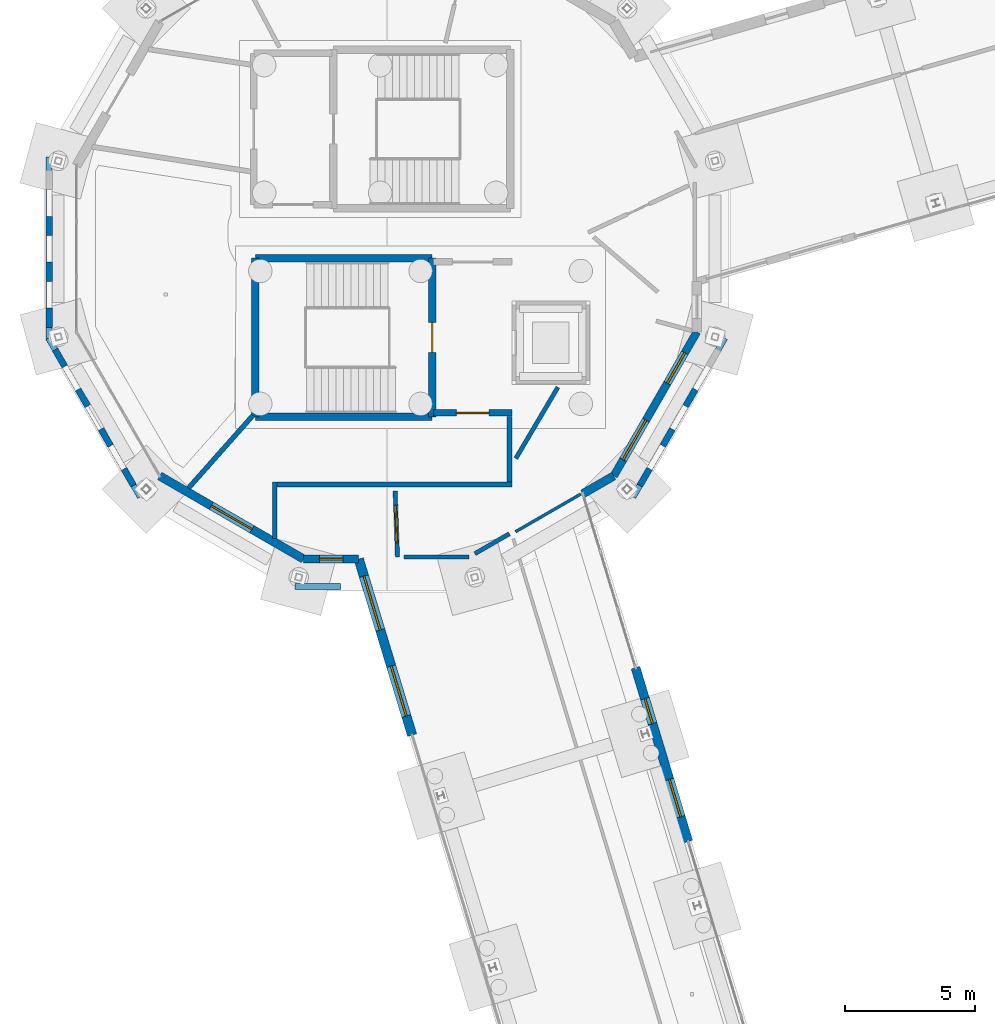
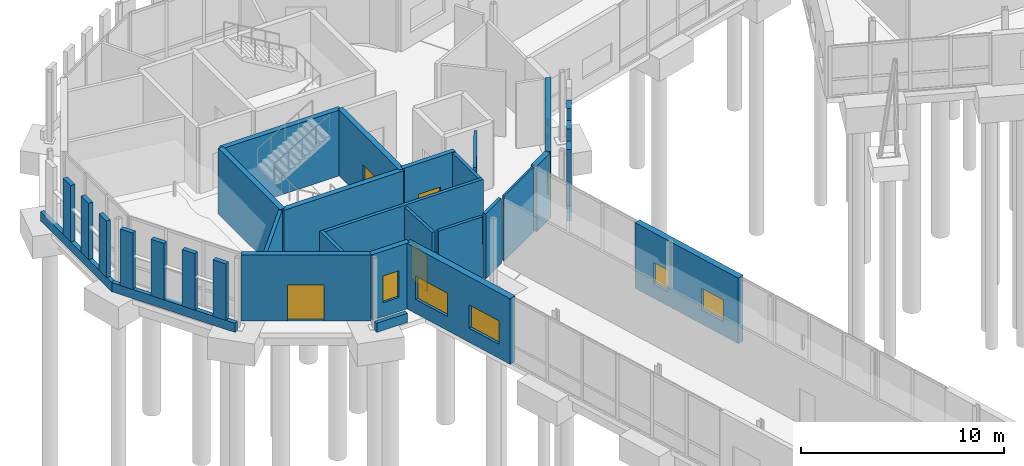
# One storey, part 82 of 113: 34 walls, 7 windows, 4 doors, 11 openings.
"""IFC4 building model written with IfcOpenShell, lengths in metres."""

from ifc_helpers import new_model, si_unit, direction, frame, frame_2d, origin, place, context, subcontext, project, spatial, rectangle, extrude, material, layer, layer_set, type_object, element, fill, save


model = new_model("IFC4")

# Units and contexts
model_context = context("Model", 3, precision=1e-05, world=origin(), true_north=direction((0.0, 1.0)))
body_context = subcontext(model_context, "Body", "Model", "MODEL_VIEW")
ifc_project = project(units=[si_unit("LENGTHUNIT", "METRE"), si_unit("AREAUNIT", "SQUARE_METRE"), si_unit("VOLUMEUNIT", "CUBIC_METRE"), si_unit("PLANEANGLEUNIT", "RADIAN"), si_unit("MASSUNIT", "GRAM", prefix="KILO")], contexts=[model_context])

# Site, building, storey
site_placement = place(None, origin())
site = spatial("IfcSite", under=ifc_project, at=site_placement, CompositionType="ELEMENT")
building_placement = place(site_placement, origin())
building = spatial("IfcBuilding", under=site, at=building_placement, Name="Wrenclough Park School", CompositionType="ELEMENT")
storey_placement = place(building_placement, origin())
storey = spatial("IfcBuildingStorey", under=building, at=storey_placement, Name="L00", CompositionType="ELEMENT", Elevation=0.0)

# Walls
ifc_material_1 = material(Name="Perforated open-bond Staffordshire and Manchester brick screen pier", Category="masonry")
ifc_layer_1 = layer(ifc_material_1, 0.2451171875)
ifc_layer_set_1 = layer_set([ifc_layer_1], Name="Perforated open-bond Staffordshire and Manchester brick screen pier")
wall_type_1 = type_object("IfcWallType", Name="ENV-BS-PR245", PredefinedType="ELEMENTEDWALL", material=ifc_layer_set_1)
for number, where, z_axis, x_axis, name in (
    (1, (3.54345703125, 90.74951171875, 0.550048828125), (0.0, 0.0, 1.0), (0.0, -1.0, 0.0), "D3 L00 perforated brick screen pier 0094"),
    (2, (3.54345703125, 88.989501953125, 0.550048828125), (0.0, 0.0, 1.0), (0.0, -1.0, 0.0), "D3 L00 perforated brick screen pier 0095"),
    (3, (3.54345703125, 87.2294921875, 0.550048828125), (0.0, 0.0, 1.0), (0.0, -1.0, 0.0), "D3 L00 perforated brick screen pier 0096"),
    (4, (3.7744140625, 85.6279296875, 0.550048828125), (0.0, 0.0, 1.0), (0.500189527592, -0.865915952323, 0.0), "D3 L00 perforated brick screen pier 0097"),
):
    element("IfcWall", number, at=place(storey_placement, frame(where, z_axis=z_axis, x_axis=x_axis)), inside=storey, type_object=wall_type_1, Name=name, PredefinedType="ELEMENTEDWALL", context=body_context, shape_type="SweptSolid", body=[
        extrude(rectangle(XDim=0.739013671875, YDim=0.2451171875, at=frame_2d((0.36962890625, 0.0))), origin(), (0.0, 0.0, 1.0), 3.389892578125),
    ])
wall_1_placement = place(storey_placement, frame((4.654541015625, 84.103759765625, 0.550048828125), z_axis=(0.0, 0.0, 1.0), x_axis=(0.499941746681, -0.866059033742, 0.0)))
element("IfcWall", 5, at=wall_1_placement, inside=storey, type_object=wall_type_1, Name="D3 L00 perforated brick screen pier 0098", PredefinedType="ELEMENTEDWALL", context=body_context, shape_type="SweptSolid", body=[
    extrude(rectangle(XDim=0.73876953125, YDim=0.2451171875, at=frame_2d((0.369384765625, 0.0))), origin(), (0.0, 0.0, 1.0), 3.389892578125),
])
for number, where, z_axis, x_axis, name in (
    (6, (5.534423828125, 82.57958984375, 0.550048828125), (0.0, 0.0, 1.0), (0.500189527592, -0.865915952323, 0.0), "D3 L00 perforated brick screen pier 0099"),
    (7, (6.41455078125, 81.055419921875, 0.550048828125), (0.0, 0.0, 1.0), (0.499798711192, -0.866141586746, 0.0), "D3 L00 perforated brick screen pier 0100"),
    (8, (26.216064453125, 80.415283203125, 0.550048828125), (0.0, 0.0, 1.0), (0.499798711192, 0.866141586746, 0.0), "D3 L00 perforated brick screen pier 0101"),
    (9, (27.095947265625, 81.939697265625, 0.550048828125), (0.0, 0.0, 1.0), (0.500189527592, 0.865915952323, 0.0), "D3 L00 perforated brick screen pier 0102"),
):
    element("IfcWall", number, at=place(storey_placement, frame(where, z_axis=z_axis, x_axis=x_axis)), inside=storey, type_object=wall_type_1, Name=name, PredefinedType="ELEMENTEDWALL", context=body_context, shape_type="SweptSolid", body=[
        extrude(rectangle(XDim=0.739013671875, YDim=0.2451171875, at=frame_2d((0.36962890625, 0.0))), origin(), (0.0, 0.0, 1.0), 3.389892578125),
    ])
wall_2_placement = place(storey_placement, frame((27.97607421875, 83.4638671875, 0.550048828125), z_axis=(0.0, 0.0, 1.0), x_axis=(0.499941746681, 0.866059033742, 0.0)))
element("IfcWall", 10, at=wall_2_placement, inside=storey, type_object=wall_type_1, Name="D3 L00 perforated brick screen pier 0103", PredefinedType="ELEMENTEDWALL", context=body_context, shape_type="SweptSolid", body=[
    extrude(rectangle(XDim=0.73876953125, YDim=0.2451171875, at=frame_2d((0.369384765625, 0.0))), origin(), (0.0, 0.0, 1.0), 3.389892578125),
])
ifc_material_2 = material(Name="Open-bond Manchester multi-stock brick spandrel screen", Category="masonry")
ifc_layer_2 = layer(ifc_material_2, 0.22509765625)
ifc_layer_set_2 = layer_set([ifc_layer_2], Name="Open-bond Manchester multi-stock brick spandrel screen")
wall_type_2 = type_object("IfcWallType", Name="ENV-BS-SP225", PredefinedType="ELEMENTEDWALL", material=ifc_layer_set_2)
wall_3_placement = place(storey_placement, frame((3.54345703125, 93.02001953125, 0.0), z_axis=(0.0, 0.0, 1.0), x_axis=(0.0, -1.0, 0.0)))
element("IfcWall", 11, at=wall_3_placement, inside=storey, type_object=wall_type_2, Name="D3 L00 open-bond brick screen spandrel 0024", PredefinedType="ELEMENTEDWALL", context=body_context, shape_type="SweptSolid", body=[
    extrude(rectangle(XDim=7.0400390625, YDim=0.22509765625, at=frame_2d((3.52001953125, 0.0))), origin(), (0.0, 0.0, 1.0), 0.550048828125),
])
wall_4_placement = place(storey_placement, frame((3.519287109375, 86.070068359375, 0.0), z_axis=(0.0, 0.0, 1.0), x_axis=(0.500010639957, -0.866019260715, 0.0)))
element("IfcWall", 12, at=wall_4_placement, inside=storey, type_object=wall_type_2, Name="D3 L00 open-bond brick screen spandrel 0025", PredefinedType="ELEMENTEDWALL", context=body_context, shape_type="SweptSolid", body=[
    extrude(rectangle(XDim=7.039794921875, YDim=0.22509765625, at=frame_2d((3.52001953125, 0.0))), origin(), (0.0, 0.0, 1.0), 0.550048828125),
])
wall_5_placement = place(storey_placement, frame((12.97998046875, 76.54345703125, 0.0), z_axis=(0.0, 0.0, 1.0), x_axis=(1.0, 0.0, 0.0)))
element("IfcWall", 13, at=wall_5_placement, inside=storey, type_object=wall_type_2, Name="D3 L00 open-bond brick screen spandrel 0026", PredefinedType="ELEMENTEDWALL", context=body_context, shape_type="SweptSolid", body=[
    extrude(rectangle(XDim=1.751708984375, YDim=0.22509765625, at=frame_2d((0.8759765625, 0.0))), origin(), (0.0, 0.0, 1.0), 0.550048828125),
])
wall_6_placement = place(storey_placement, frame((25.960693359375, 79.973388671875, 0.0), z_axis=(0.0, 0.0, 1.0), x_axis=(0.500010639957, 0.866019260715, 0.0)))
element("IfcWall", 14, at=wall_6_placement, inside=storey, type_object=wall_type_2, Name="D3 L00 open-bond brick screen spandrel 0027", PredefinedType="ELEMENTEDWALL", context=body_context, shape_type="SweptSolid", body=[
    extrude(rectangle(XDim=7.039794921875, YDim=0.22509765625, at=frame_2d((3.52001953125, 0.0))), origin(), (0.0, 0.0, 1.0), 0.550048828125),
])

# Wall, opening, window
ifc_material_3 = material(Name="Manchester multi-stock brick and Concrete C32/40 inner leaf", Category="masonry")
ifc_layer_3 = layer(ifc_material_3, 0.300048828125)
ifc_layer_set_3 = layer_set([ifc_layer_3], Name="Manchester multi-stock brick and Concrete C32/40 inner leaf")
wall_type_3 = type_object("IfcWallType", Name="ENV-EW-300", PredefinedType="SOLIDWALL", material=ifc_layer_set_3)
wall_7_placement = place(storey_placement, frame((15.4267578125, 77.59423828125, 0.0), z_axis=(0.0, 0.0, 1.0), x_axis=(-1.0, 0.0, 0.0)))
wall_7 = element("IfcWall", 15, at=wall_7_placement, inside=storey, type_object=wall_type_3, Name="L00 insulated brick external wall 0008", PredefinedType="SOLIDWALL", context=body_context, shape_type="SweptSolid", body=[
    extrude(rectangle(XDim=2.116943359375, YDim=0.300048828125, at=frame_2d((1.05859375, 0.0))), origin(), (0.0, 0.0, 1.0), 3.93994140625),
])
opening_1_placement = place(wall_7_placement, frame((0.6083984375, 0.0, 0.85009765625)))
opening_1 = element("IfcOpeningElement", 16, at=opening_1_placement, cuts=wall_7, Name="Opening WN-13", PredefinedType="OPENING", context=body_context, shape_type="SweptSolid", body=[
    extrude(rectangle(XDim=0.89990234375, YDim=1.60009765625, at=frame_2d((0.449951171875, 0.800048828125))), frame((0.0, 0.159912109375, 0.0), z_axis=(0.0, -1.0, 0.0), x_axis=(1.0, 0.0, 0.0)), (0.0, 0.0, 1.0), 0.320068359375),
])
ifc_material_4 = material(Name="Thermally broken aluminium and double-glazed low-e glass", Category="aluminium")
window_type_1 = type_object("IfcWindowType", Name="ENV-WN-13", PartitioningType="SINGLE_PANEL", PredefinedType="WINDOW", material=ifc_material_4)
window_1_placement = place(opening_1_placement, origin())
window_1 = element("IfcWindow", 17, at=window_1_placement, inside=storey, type_object=window_type_1, Name="L00 scheduled facade window 0010", OverallHeight=1.60009765625, OverallWidth=0.89990234375, PartitioningType="SINGLE_PANEL", PredefinedType="WINDOW", context=body_context, shape_type="SweptSolid", body=[
    extrude(rectangle(XDim=0.89990234375, YDim=1.60009765625, at=frame_2d((0.449951171875, 0.800048828125))), frame((0.0, 0.030029296875, 0.0), z_axis=(0.0, -1.0, 0.0), x_axis=(1.0, 0.0, 0.0)), (0.0, 0.0, 1.0), 0.06005859375),
])
fill(opening_1, window_1)

# Wall, openings, windows
wall_8_placement = place(storey_placement, frame((28.40576171875, 86.309814453125, 0.0), z_axis=(0.0, 0.0, 1.0), x_axis=(-0.499966461314, -0.866044766488, 0.0)))
wall_8 = element("IfcWall", 18, at=wall_8_placement, inside=storey, type_object=wall_type_3, Name="L00 insulated brick external wall 0072", PredefinedType="SOLIDWALL", context=body_context, shape_type="SweptSolid", body=[
    extrude(rectangle(XDim=6.38037109375, YDim=0.300048828125, at=frame_2d((3.190185546875, 0.0))), origin(), (0.0, 0.0, 1.0), 3.93994140625),
])
opening_2_placement = place(wall_8_placement, frame((0.920166015625, 0.0, 0.85009765625)))
opening_2 = element("IfcOpeningElement", 19, at=opening_2_placement, cuts=wall_8, Name="Opening WN-43", PredefinedType="OPENING", context=body_context, shape_type="SweptSolid", body=[
    extrude(rectangle(XDim=1.35009765625, YDim=1.300048828125, at=frame_2d((0.675048828125, 0.64990234375))), frame((0.0, 0.159912109375, 0.0), z_axis=(0.0, -1.0, 0.0), x_axis=(1.0, 0.0, 0.0)), (0.0, 0.0, 1.0), 0.320068359375),
])
opening_3_placement = place(wall_8_placement, frame((3.91015625, 0.0, 0.85009765625)))
opening_3 = element("IfcOpeningElement", 20, at=opening_3_placement, cuts=wall_8, Name="Opening WN-44", PredefinedType="OPENING", context=body_context, shape_type="SweptSolid", body=[
    extrude(rectangle(XDim=1.75, YDim=1.300048828125, at=frame_2d((0.875, 0.64990234375))), frame((0.0, 0.159912109375, 0.0), z_axis=(0.0, -1.0, 0.0), x_axis=(1.0, 0.0, 0.0)), (0.0, 0.0, 1.0), 0.320068359375),
])
window_type_2 = type_object("IfcWindowType", Name="ENV-WN-43", PartitioningType="SINGLE_PANEL", PredefinedType="WINDOW", material=ifc_material_4)
window_2_placement = place(opening_2_placement, origin())
window_2 = element("IfcWindow", 21, at=window_2_placement, inside=storey, type_object=window_type_2, Name="L00 scheduled facade window 0098", OverallHeight=1.300048828125, OverallWidth=1.35009765625, PartitioningType="SINGLE_PANEL", PredefinedType="WINDOW", context=body_context, shape_type="SweptSolid", body=[
    extrude(rectangle(XDim=1.35009765625, YDim=1.300048828125, at=frame_2d((0.675048828125, 0.64990234375))), frame((0.0, 0.030029296875, 0.0), z_axis=(0.0, -1.0, 0.0), x_axis=(1.0, 0.0, 0.0)), (0.0, 0.0, 1.0), 0.06005859375),
])
fill(opening_2, window_2)
window_type_3 = type_object("IfcWindowType", Name="ENV-WN-44", PartitioningType="DOUBLE_PANEL_VERTICAL", PredefinedType="WINDOW", material=ifc_material_4)
window_3_placement = place(opening_3_placement, origin())
window_3 = element("IfcWindow", 22, at=window_3_placement, inside=storey, type_object=window_type_3, Name="L00 scheduled facade window 0099", OverallHeight=1.300048828125, OverallWidth=1.75, PartitioningType="SINGLE_PANEL", PredefinedType="WINDOW", context=body_context, shape_type="SweptSolid", body=[
    extrude(rectangle(XDim=1.75, YDim=1.300048828125, at=frame_2d((0.875, 0.64990234375))), frame((0.0, 0.030029296875, 0.0), z_axis=(0.0, -1.0, 0.0), x_axis=(1.0, 0.0, 0.0)), (0.0, 0.0, 1.0), 0.06005859375),
])
fill(opening_3, window_3)

# Wall, opening, door
ifc_layer_4 = layer(ifc_material_3, 0.324951171875)
ifc_layer_set_4 = layer_set([ifc_layer_4], Name="Manchester multi-stock brick and Concrete C32/40 inner leaf")
wall_type_4 = type_object("IfcWallType", Name="ENV-EW-325", PredefinedType="SOLIDWALL", material=ifc_layer_set_4)
wall_9_placement = place(storey_placement, frame((13.309814453125, 77.59423828125, 0.0), z_axis=(0.0, 0.0, 1.0), x_axis=(-0.866044766488, 0.499966461314, 0.0)))
wall_9 = element("IfcWall", 23, at=wall_9_placement, inside=storey, type_object=wall_type_4, Name="L00 insulated brick external wall 0009", PredefinedType="SOLIDWALL", context=body_context, shape_type="SweptSolid", body=[
    extrude(rectangle(XDim=6.38037109375, YDim=0.324951171875, at=frame_2d((3.190185546875, 0.0))), origin(), (0.0, 0.0, 1.0), 3.93994140625),
])
opening_4_placement = place(wall_9_placement, frame((2.2900390625, 0.0, 0.0)))
opening_4 = element("IfcOpeningElement", 24, at=opening_4_placement, cuts=wall_9, Name="Opening EX-06", PredefinedType="OPENING", context=body_context, shape_type="SweptSolid", body=[
    extrude(rectangle(XDim=1.800048828125, YDim=2.159912109375, at=frame_2d((0.89990234375, 1.080078125))), frame((0.0, 0.17236328125, 0.0), z_axis=(0.0, -1.0, 0.0), x_axis=(1.0, 0.0, 0.0)), (0.0, 0.0, 1.0), 0.344970703125),
])
ifc_material_5 = material(Name="Thermally broken powder-coated aluminium and laminated safety glass", Category="aluminium")
door_type_1 = type_object("IfcDoorType", Name="DR-EX180", OperationType="NOTDEFINED", PredefinedType="DOOR", material=ifc_material_5)
door_1_placement = place(opening_4_placement, origin())
door_1 = element("IfcDoor", 25, at=door_1_placement, inside=storey, type_object=door_type_1, Name="Pedestrian final exit door EX-06", OperationType="DOUBLE_DOOR_SINGLE_SWING", OverallHeight=2.159912109375, OverallWidth=1.800048828125, PredefinedType="DOOR", context=body_context, shape_type="SweptSolid", body=[
    extrude(rectangle(XDim=1.800048828125, YDim=2.159912109375, at=frame_2d((0.89990234375, 1.080078125))), frame((0.0, 0.02490234375, 0.0), z_axis=(0.0, -1.0, 0.0), x_axis=(1.0, 0.0, 0.0)), (0.0, 0.0, 1.0), 0.050048828125),
])
fill(opening_4, door_1)

# Wall
wall_10_placement = place(storey_placement, frame((25.2158203125, 80.7841796875, 0.0), z_axis=(0.0, 0.0, 1.0), x_axis=(-0.866084655132, -0.499897359611, 0.0)))
element("IfcWall", 26, at=wall_10_placement, inside=storey, type_object=wall_type_4, Name="L00 insulated brick external wall 0073", PredefinedType="SOLIDWALL", context=body_context, shape_type="SweptSolid", body=[
    extrude(rectangle(XDim=1.369384765625, YDim=0.324951171875, at=frame_2d((0.6845703125, 0.0))), origin(), (0.0, 0.0, 1.0), 3.93994140625),
])

# Wall, openings, windows
ifc_material_6 = material(Name="Staffordshire blue-grey brick and Concrete C35/45 inner leaf", Category="masonry")
ifc_layer_5 = layer(ifc_material_6, 0.35009765625)
ifc_layer_set_5 = layer_set([ifc_layer_5], Name="Staffordshire blue-grey brick and Concrete C35/45 inner leaf")
wall_type_5 = type_object("IfcWallType", Name="ENV-EW-350", PredefinedType="SOLIDWALL", material=ifc_layer_set_5)
wall_11_placement = place(storey_placement, frame((26.05224609375, 73.42529296875, 0.0), z_axis=(0.0, 0.0, 1.0), x_axis=(0.29003168505, -0.957017043561, 0.0)))
wall_11 = element("IfcWall", 27, at=wall_11_placement, inside=storey, type_object=wall_type_5, Name="L00 insulated brick external wall 0074", PredefinedType="SOLIDWALL", context=body_context, shape_type="SweptSolid", body=[
    extrude(rectangle(XDim=6.97412109375, YDim=0.35009765625, at=frame_2d((3.487060546875, 0.0))), origin(), (0.0, 0.0, 1.0), 3.93994140625),
])
opening_5_placement = place(wall_11_placement, frame((1.243408203125, 0.0, 0.85009765625)))
opening_5 = element("IfcOpeningElement", 28, at=opening_5_placement, cuts=wall_11, Name="Opening WN-45", PredefinedType="OPENING", context=body_context, shape_type="SweptSolid", body=[
    extrude(rectangle(XDim=1.0, YDim=1.300048828125, at=frame_2d((0.5, 0.64990234375))), frame((0.0, 0.18505859375, 0.0), z_axis=(0.0, -1.0, 0.0), x_axis=(1.0, 0.0, 0.0)), (0.0, 0.0, 1.0), 0.3701171875),
])
opening_6_placement = place(wall_11_placement, frame((4.480712890625, 0.0, 0.85009765625)))
opening_6 = element("IfcOpeningElement", 29, at=opening_6_placement, cuts=wall_11, Name="Opening WN-46", PredefinedType="OPENING", context=body_context, shape_type="SweptSolid", body=[
    extrude(rectangle(XDim=1.5, YDim=1.300048828125, at=frame_2d((0.75, 0.64990234375))), frame((0.0, 0.18505859375, 0.0), z_axis=(0.0, -1.0, 0.0), x_axis=(1.0, 0.0, 0.0)), (0.0, 0.0, 1.0), 0.3701171875),
])
window_type_4 = type_object("IfcWindowType", Name="ENV-WN-45", PartitioningType="SINGLE_PANEL", PredefinedType="WINDOW", material=ifc_material_4)
window_4_placement = place(opening_5_placement, origin())
window_4 = element("IfcWindow", 30, at=window_4_placement, inside=storey, type_object=window_type_4, Name="L00 scheduled facade window 0100", OverallHeight=1.300048828125, OverallWidth=1.0, PartitioningType="SINGLE_PANEL", PredefinedType="WINDOW", context=body_context, shape_type="SweptSolid", body=[
    extrude(rectangle(XDim=1.0, YDim=1.300048828125, at=frame_2d((0.5, 0.64990234375))), frame((0.0, 0.030029296875, 0.0), z_axis=(0.0, -1.0, 0.0), x_axis=(1.0, 0.0, 0.0)), (0.0, 0.0, 1.0), 0.06005859375),
])
fill(opening_5, window_4)
window_type_5 = type_object("IfcWindowType", Name="ENV-WN-46", PartitioningType="DOUBLE_PANEL_VERTICAL", PredefinedType="WINDOW", material=ifc_material_4)
window_5_placement = place(opening_6_placement, origin())
window_5 = element("IfcWindow", 31, at=window_5_placement, inside=storey, type_object=window_type_5, Name="L00 scheduled facade window 0101", OverallHeight=1.300048828125, OverallWidth=1.5, PartitioningType="SINGLE_PANEL", PredefinedType="WINDOW", context=body_context, shape_type="SweptSolid", body=[
    extrude(rectangle(XDim=1.5, YDim=1.300048828125, at=frame_2d((0.75, 0.64990234375))), frame((0.0, 0.030029296875, 0.0), z_axis=(0.0, -1.0, 0.0), x_axis=(1.0, 0.0, 0.0)), (0.0, 0.0, 1.0), 0.06005859375),
])
fill(opening_6, window_5)

ifc_material_7 = material(Name="Faceted courtyard brick-cavity wall Concrete C35/45", Category="masonry")
ifc_layer_6 = layer(ifc_material_7, 0.364990234375)
ifc_layer_set_6 = layer_set([ifc_layer_6], Name="Faceted courtyard brick-cavity wall Concrete C35/45")
wall_type_6 = type_object("IfcWallType", Name="ENV-EW-365", PredefinedType="SOLIDWALL", material=ifc_layer_set_6)
wall_12_placement = place(storey_placement, frame((17.474853515625, 70.835205078125, 0.0), z_axis=(0.0, 0.0, 1.0), x_axis=(-0.289994922697, 0.957028183916, 0.0)))
wall_12 = element("IfcWall", 32, at=wall_12_placement, inside=storey, type_object=wall_type_6, Name="L00 insulated brick external wall 0007", PredefinedType="SOLIDWALL", context=body_context, shape_type="SweptSolid", body=[
    extrude(rectangle(XDim=7.0625, YDim=0.364990234375, at=frame_2d((3.53125, 0.0))), origin(), (0.0, 0.0, 1.0), 3.93994140625),
])
opening_7_placement = place(wall_12_placement, frame((0.765625, 0.0, 0.85009765625)))
opening_7 = element("IfcOpeningElement", 33, at=opening_7_placement, cuts=wall_12, Name="Opening WN-09", PredefinedType="OPENING", context=body_context, shape_type="SweptSolid", body=[
    extrude(rectangle(XDim=2.0, YDim=1.39990234375, at=frame_2d((1.0, 0.699951171875))), frame((0.0, 0.1923828125, 0.0), z_axis=(0.0, -1.0, 0.0), x_axis=(1.0, 0.0, 0.0)), (0.0, 0.0, 1.0), 0.385009765625),
])
opening_8_placement = place(wall_12_placement, frame((4.2216796875, 0.0, 0.85009765625)))
opening_8 = element("IfcOpeningElement", 34, at=opening_8_placement, cuts=wall_12, Name="Opening WN-10", PredefinedType="OPENING", context=body_context, shape_type="SweptSolid", body=[
    extrude(rectangle(XDim=2.14990234375, YDim=1.39990234375, at=frame_2d((1.074951171875, 0.699951171875))), frame((0.0, 0.1923828125, 0.0), z_axis=(0.0, -1.0, 0.0), x_axis=(1.0, 0.0, 0.0)), (0.0, 0.0, 1.0), 0.385009765625),
])
window_type_6 = type_object("IfcWindowType", Name="ENV-WN-09", PartitioningType="DOUBLE_PANEL_VERTICAL", PredefinedType="WINDOW", material=ifc_material_4)
window_6_placement = place(opening_7_placement, origin())
window_6 = element("IfcWindow", 35, at=window_6_placement, inside=storey, type_object=window_type_6, Name="L00 scheduled facade window 0008", OverallHeight=1.39990234375, OverallWidth=2.0, PartitioningType="SINGLE_PANEL", PredefinedType="WINDOW", context=body_context, shape_type="SweptSolid", body=[
    extrude(rectangle(XDim=2.0, YDim=1.39990234375, at=frame_2d((1.0, 0.699951171875))), frame((0.0, 0.030029296875, 0.0), z_axis=(0.0, -1.0, 0.0), x_axis=(1.0, 0.0, 0.0)), (0.0, 0.0, 1.0), 0.06005859375),
])
fill(opening_7, window_6)
window_type_7 = type_object("IfcWindowType", Name="ENV-WN-10", PartitioningType="DOUBLE_PANEL_VERTICAL", PredefinedType="WINDOW", material=ifc_material_4)
window_7_placement = place(opening_8_placement, origin())
window_7 = element("IfcWindow", 36, at=window_7_placement, inside=storey, type_object=window_type_7, Name="L00 scheduled facade window 0009", OverallHeight=1.39990234375, OverallWidth=2.14990234375, PartitioningType="SINGLE_PANEL", PredefinedType="WINDOW", context=body_context, shape_type="SweptSolid", body=[
    extrude(rectangle(XDim=2.14990234375, YDim=1.39990234375, at=frame_2d((1.074951171875, 0.699951171875))), frame((0.0, 0.030029296875, 0.0), z_axis=(0.0, -1.0, 0.0), x_axis=(1.0, 0.0, 0.0)), (0.0, 0.0, 1.0), 0.06005859375),
])
fill(opening_8, window_7)

# Wall, opening, door
ifc_material_8 = material(Name="Concrete C35/45", Category="concrete")
ifc_layer_7 = layer(ifc_material_8, 0.25)
ifc_layer_set_7 = layer_set([ifc_layer_7], Name="Concrete C35/45")
wall_type_7 = type_object("IfcWallType", Name="INT-CW-250", PredefinedType="SHEAR", material=ifc_layer_set_7)
wall_13_placement = place(storey_placement, frame((18.300048828125, 83.199951171875, 0.0), z_axis=(0.0, 0.0, 1.0), x_axis=(1.0, 0.0, 0.0)))
wall_13 = element("IfcWall", 37, at=wall_13_placement, inside=storey, type_object=wall_type_7, Name="Core C3 L00 lobby fire wall south", PredefinedType="SHEAR", context=body_context, shape_type="SweptSolid", body=[
    extrude(rectangle(XDim=3.0, YDim=0.25, at=frame_2d((1.5, 0.0))), origin(), (0.0, 0.0, 1.0), 3.949951171875),
])
opening_9_placement = place(wall_13_placement, frame((0.875, 0.0, 0.0)))
opening_9 = element("IfcOpeningElement", 38, at=opening_9_placement, cuts=wall_13, Name="Opening DEP-C3-L00", PredefinedType="OPENING", context=body_context, shape_type="SweptSolid", body=[
    extrude(rectangle(XDim=1.25, YDim=2.10009765625, at=frame_2d((0.625, 1.050048828125))), frame((0.0, 0.135009765625, 0.0), z_axis=(0.0, -1.0, 0.0), x_axis=(1.0, 0.0, 0.0)), (0.0, 0.0, 1.0), 0.27001953125),
])
ifc_material_9 = material(Name="Wide protected escape stair fire door assembly", Category="wood")
door_type_2 = type_object("IfcDoorType", Name="INT-DR-ST125", OperationType="NOTDEFINED", PredefinedType="DOOR", material=ifc_material_9)
door_2_placement = place(opening_9_placement, frame((1.25, 0.0, 0.0), z_axis=(0.0, 0.0, 1.0), x_axis=(-1.0, 0.0, 0.0)))
door_2 = element("IfcDoor", 39, at=door_2_placement, inside=storey, type_object=door_type_2, Name="Core C3 L00 protected exit passageway fire door", OperationType="SINGLE_SWING_LEFT", OverallHeight=2.10009765625, OverallWidth=1.25, PredefinedType="DOOR", context=body_context, shape_type="SweptSolid", body=[
    extrude(rectangle(XDim=1.25, YDim=2.10009765625, at=frame_2d((0.625, 1.050048828125))), frame((0.0, 0.02490234375, 0.0), z_axis=(0.0, -1.0, 0.0), x_axis=(1.0, 0.0, 0.0)), (0.0, 0.0, 1.0), 0.050048828125),
])
fill(opening_9, door_2)

# Wall
ifc_material_10 = material(Name="Concrete C40/50", Category="concrete")
ifc_layer_8 = layer(ifc_material_10, 0.2900390625)
ifc_layer_set_8 = layer_set([ifc_layer_8], Name="Concrete C40/50")
wall_type_8 = type_object("IfcWallType", Name="INT-CW-290", PredefinedType="SHEAR", material=ifc_layer_set_8)
wall_14_placement = place(storey_placement, frame((11.455078125, 83.054931640625, 0.0), z_axis=(0.0, 0.0, 1.0), x_axis=(1.0, 0.0, 0.0)))
element("IfcWall", 40, at=wall_14_placement, inside=storey, type_object=wall_type_8, Name="Core C3 L00 south shear wall", PredefinedType="SHEAR", context=body_context, shape_type="SweptSolid", body=[
    extrude(rectangle(XDim=6.7900390625, YDim=0.2900390625, at=frame_2d((3.39501953125, 0.0))), origin(), (0.0, 0.0, 1.0), 3.949951171875),
])

# Wall, opening, door
wall_15_placement = place(storey_placement, frame((18.2451171875, 83.054931640625, 0.0), z_axis=(0.0, 0.0, 1.0), x_axis=(0.0, 1.0, 0.0)))
wall_15 = element("IfcWall", 41, at=wall_15_placement, inside=storey, type_object=wall_type_8, Name="Core C3 L00 east shear wall", PredefinedType="SHEAR", context=body_context, shape_type="SweptSolid", body=[
    extrude(rectangle(XDim=6.090087890625, YDim=0.2900390625, at=frame_2d((3.044921875, 0.0))), origin(), (0.0, 0.0, 1.0), 3.949951171875),
])
opening_10_placement = place(wall_15_placement, frame((2.469970703125, 0.0, 0.0)))
opening_10 = element("IfcOpeningElement", 42, at=opening_10_placement, cuts=wall_15, Name="Opening DST-C3-L00", PredefinedType="OPENING", context=body_context, shape_type="SweptSolid", body=[
    extrude(rectangle(XDim=1.14990234375, YDim=2.10009765625, at=frame_2d((0.574951171875, 1.050048828125))), frame((0.0, 0.155029296875, 0.0), z_axis=(0.0, -1.0, 0.0), x_axis=(1.0, 0.0, 0.0)), (0.0, 0.0, 1.0), 0.31005859375),
])
ifc_material_11 = material(Name="Protected escape stair single fire door assembly", Category="wood")
door_type_3 = type_object("IfcDoorType", Name="INT-DR-ST115", OperationType="NOTDEFINED", PredefinedType="DOOR", material=ifc_material_11)
door_3_placement = place(opening_10_placement, frame((1.14990234375, 0.0, 0.0), z_axis=(0.0, 0.0, 1.0), x_axis=(-1.0, 0.0, 0.0)))
door_3 = element("IfcDoor", 43, at=door_3_placement, inside=storey, type_object=door_type_3, Name="Stair ST-03 L00 fire door", OperationType="SINGLE_SWING_LEFT", OverallHeight=2.10009765625, OverallWidth=1.14990234375, PredefinedType="DOOR", context=body_context, shape_type="SweptSolid", body=[
    extrude(rectangle(XDim=1.14990234375, YDim=2.10009765625, at=frame_2d((0.574951171875, 1.050048828125))), frame((0.0, 0.02490234375, 0.0), z_axis=(0.0, -1.0, 0.0), x_axis=(1.0, 0.0, 0.0)), (0.0, 0.0, 1.0), 0.050048828125),
])
fill(opening_10, door_3)

# Walls
wall_16_placement = place(storey_placement, frame((18.2451171875, 89.14501953125, 0.0), z_axis=(0.0, 0.0, 1.0), x_axis=(-1.0, 0.0, 0.0)))
element("IfcWall", 44, at=wall_16_placement, inside=storey, type_object=wall_type_8, Name="Core C3 L00 north shear wall", PredefinedType="SHEAR", context=body_context, shape_type="SweptSolid", body=[
    extrude(rectangle(XDim=6.7900390625, YDim=0.2900390625, at=frame_2d((3.39501953125, 0.0))), origin(), (0.0, 0.0, 1.0), 3.949951171875),
])
wall_17_placement = place(storey_placement, frame((11.455078125, 89.14501953125, 0.0), z_axis=(0.0, 0.0, 1.0), x_axis=(0.0, -1.0, 0.0)))
element("IfcWall", 45, at=wall_17_placement, inside=storey, type_object=wall_type_8, Name="Core C3 L00 west shear wall", PredefinedType="SHEAR", context=body_context, shape_type="SweptSolid", body=[
    extrude(rectangle(XDim=6.090087890625, YDim=0.2900390625, at=frame_2d((3.044921875, 0.0))), origin(), (0.0, 0.0, 1.0), 3.949951171875),
])
ifc_material_12 = material(Name="Lightweight fire-rated store partition", Category="gypsum")
ifc_layer_9 = layer(ifc_material_12, 0.110107421875)
ifc_layer_set_9 = layer_set([ifc_layer_9], Name="Lightweight fire-rated store partition")
wall_type_9 = type_object("IfcWallType", Name="INT-PW-110", PredefinedType="PARTITIONING", material=ifc_layer_set_9)
wall_18_placement = place(storey_placement, frame((23.94970703125, 80.088134765625, 0.0), z_axis=(0.0, 0.0, 1.0), x_axis=(-0.866016942762, -0.500014654635, 0.0)))
element("IfcWall", 46, at=wall_18_placement, inside=storey, type_object=wall_type_9, Name="L00 internal partition 0142", PredefinedType="PARTITIONING", context=body_context, shape_type="SweptSolid", body=[
    extrude(rectangle(XDim=2.89306640625, YDim=0.110107421875, at=frame_2d((1.446533203125, 0.0))), origin(), (0.0, 0.0, 1.0), 3.9150390625),
])

# Wall, opening, door
ifc_material_13 = material(Name="Acoustic classroom partition 50 dB Rw", Category="gypsum")
ifc_layer_10 = layer(ifc_material_13, 0.1650390625)
ifc_layer_set_10 = layer_set([ifc_layer_10], Name="Acoustic classroom partition 50 dB Rw")
wall_type_10 = type_object("IfcWallType", Name="INT-PW-165", PredefinedType="PARTITIONING", material=ifc_layer_set_10)
wall_19_placement = place(storey_placement, frame((16.82470703125, 80.199951171875, 0.0), z_axis=(0.0, 0.0, 1.0), x_axis=(0.034971345595, -0.999388315415, 0.0)))
wall_19 = element("IfcWall", 47, at=wall_19_placement, inside=storey, type_object=wall_type_10, Name="L00 internal partition 0093", PredefinedType="PARTITIONING", context=body_context, shape_type="SweptSolid", body=[
    extrude(rectangle(XDim=2.527099609375, YDim=0.1650390625, at=frame_2d((1.263671875, 0.0))), origin(), (0.0, 0.0, 1.0), 3.9150390625),
])
opening_11_placement = place(wall_19_placement, frame((0.543701171875, 0.0, 0.0)))
opening_11 = element("IfcOpeningElement", 48, at=opening_11_placement, cuts=wall_19, Name="Opening DR-L00-010", PredefinedType="OPENING", context=body_context, shape_type="SweptSolid", body=[
    extrude(rectangle(XDim=1.43994140625, YDim=2.159912109375, at=frame_2d((0.719970703125, 1.080078125))), frame((0.0, 0.092529296875, 0.0), z_axis=(0.0, -1.0, 0.0), x_axis=(1.0, 0.0, 0.0)), (0.0, 0.0, 1.0), 0.18505859375),
])
ifc_material_14 = material(Name="Workshop equipment leaf-and-a-half door assembly", Category="wood")
door_type_4 = type_object("IfcDoorType", Name="INT-DR-LAB144", OperationType="NOTDEFINED", PredefinedType="DOOR", material=ifc_material_14)
door_4_placement = place(opening_11_placement, origin())
door_4 = element("IfcDoor", 49, at=door_4_placement, inside=storey, type_object=door_type_4, Name="Metalwork and CNC DT Workshop door DR-L00-010", OperationType="SINGLE_SWING_LEFT", OverallHeight=2.159912109375, OverallWidth=1.43994140625, PredefinedType="DOOR", context=body_context, shape_type="SweptSolid", body=[
    extrude(rectangle(XDim=1.43994140625, YDim=2.159912109375, at=frame_2d((0.719970703125, 1.080078125))), frame((0.0, 0.02490234375, 0.0), z_axis=(0.0, -1.0, 0.0), x_axis=(1.0, 0.0, 0.0)), (0.0, 0.0, 1.0), 0.050048828125),
])
fill(opening_11, door_4)

# Walls
wall_20_placement = place(storey_placement, frame((17.16259765625, 77.67431640625, 0.0), z_axis=(0.0, 0.0, 1.0), x_axis=(1.0, 0.0, 0.0)))
element("IfcWall", 50, at=wall_20_placement, inside=storey, type_object=wall_type_10, Name="L00 internal partition 0094", PredefinedType="PARTITIONING", context=body_context, shape_type="SweptSolid", body=[
    extrude(rectangle(XDim=2.506103515625, YDim=0.1650390625, at=frame_2d((1.2529296875, 0.0))), origin(), (0.0, 0.0, 1.0), 3.9150390625),
])
wall_21_placement = place(storey_placement, frame((19.885009765625, 77.799072265625, 0.0), z_axis=(0.0, 0.0, 1.0), x_axis=(0.866020491792, 0.500008507724, 0.0)))
element("IfcWall", 51, at=wall_21_placement, inside=storey, type_object=wall_type_10, Name="L00 internal partition 0095", PredefinedType="PARTITIONING", context=body_context, shape_type="SweptSolid", body=[
    extrude(rectangle(XDim=1.52685546875, YDim=0.1650390625, at=frame_2d((0.763427734375, 0.0))), origin(), (0.0, 0.0, 1.0), 3.9150390625),
])
wall_22_placement = place(storey_placement, frame((21.45751953125, 81.45703125, 0.0), z_axis=(0.0, 0.0, 1.0), x_axis=(0.508687815101, 0.860951047835, 0.0)))
element("IfcWall", 52, at=wall_22_placement, inside=storey, type_object=wall_type_10, Name="L00 internal partition 0096", PredefinedType="PARTITIONING", context=body_context, shape_type="SweptSolid", body=[
    extrude(rectangle(XDim=3.17138671875, YDim=0.1650390625, at=frame_2d((1.585693359375, 0.0))), origin(), (0.0, 0.0, 1.0), 3.9150390625),
])
ifc_material_15 = material(Name="Laboratory fire and acoustic partition", Category="gypsum")
ifc_layer_11 = layer(ifc_material_15, 0.18505859375)
ifc_layer_set_11 = layer_set([ifc_layer_11], Name="Laboratory fire and acoustic partition")
wall_type_11 = type_object("IfcWallType", Name="INT-PW-185", PredefinedType="PARTITIONING", material=ifc_layer_set_11)
wall_23_placement = place(storey_placement, frame((12.29443359375, 80.449951171875, 0.0), z_axis=(0.0, 0.0, 1.0), x_axis=(1.0, 0.0, 0.0)))
element("IfcWall", 53, at=wall_23_placement, inside=storey, type_object=wall_type_11, Name="L00 protected exit passageway EI 60 wall 0009", PredefinedType="PARTITIONING", context=body_context, shape_type="SweptSolid", body=[
    extrude(rectangle(XDim=9.005615234375, YDim=0.18505859375, at=frame_2d((4.5029296875, 0.0))), origin(), (0.0, 0.0, 1.0), 3.9150390625),
])
wall_24_placement = place(storey_placement, frame((21.20751953125, 80.54443359375, 0.0), z_axis=(0.0, 0.0, 1.0), x_axis=(0.0, 1.0, 0.0)))
element("IfcWall", 54, at=wall_24_placement, inside=storey, type_object=wall_type_11, Name="L00 protected exit passageway EI 60 wall 0010", PredefinedType="PARTITIONING", context=body_context, shape_type="SweptSolid", body=[
    extrude(rectangle(XDim=2.528564453125, YDim=0.18505859375, at=frame_2d((1.26416015625, 0.0))), origin(), (0.0, 0.0, 1.0), 3.9150390625),
])
wall_25_placement = place(storey_placement, frame((11.3662109375, 83.10546875, 0.0), z_axis=(0.0, 0.0, 1.0), x_axis=(-0.663640014825, -0.748052090916, 0.0)))
element("IfcWall", 55, at=wall_25_placement, inside=storey, type_object=wall_type_11, Name="L00 protected exit passageway EI 60 wall 0011", PredefinedType="PARTITIONING", context=body_context, shape_type="SweptSolid", body=[
    extrude(rectangle(XDim=3.72802734375, YDim=0.18505859375, at=frame_2d((1.864013671875, 0.0))), origin(), (0.0, 0.0, 1.0), 3.9150390625),
])
wall_26_placement = place(storey_placement, frame((12.199951171875, 78.37890625, 0.0), z_axis=(0.0, 0.0, 1.0), x_axis=(0.0, 1.0, 0.0)))
element("IfcWall", 56, at=wall_26_placement, inside=storey, type_object=wall_type_11, Name="L00 protected exit passageway EI 60 wall 0012", PredefinedType="PARTITIONING", context=body_context, shape_type="SweptSolid", body=[
    extrude(rectangle(XDim=2.16357421875, YDim=0.18505859375, at=frame_2d((1.081787109375, 0.0))), origin(), (0.0, 0.0, 1.0), 3.9150390625),
])

save(model, "model.ifc")
